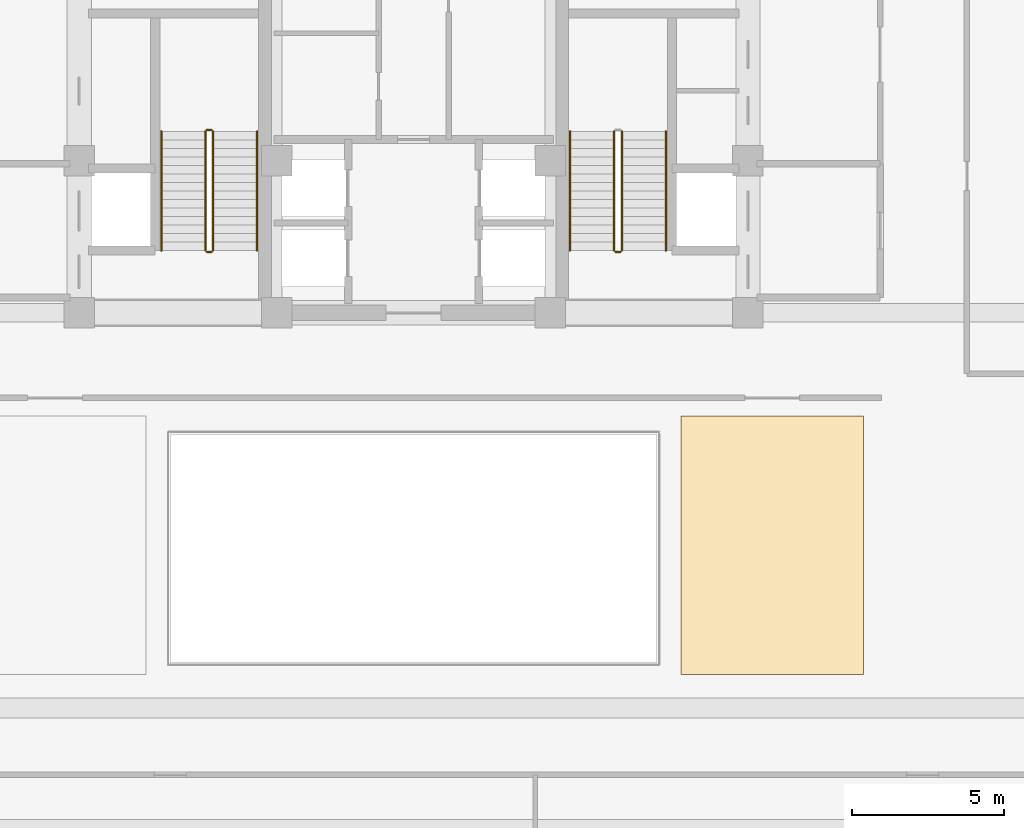
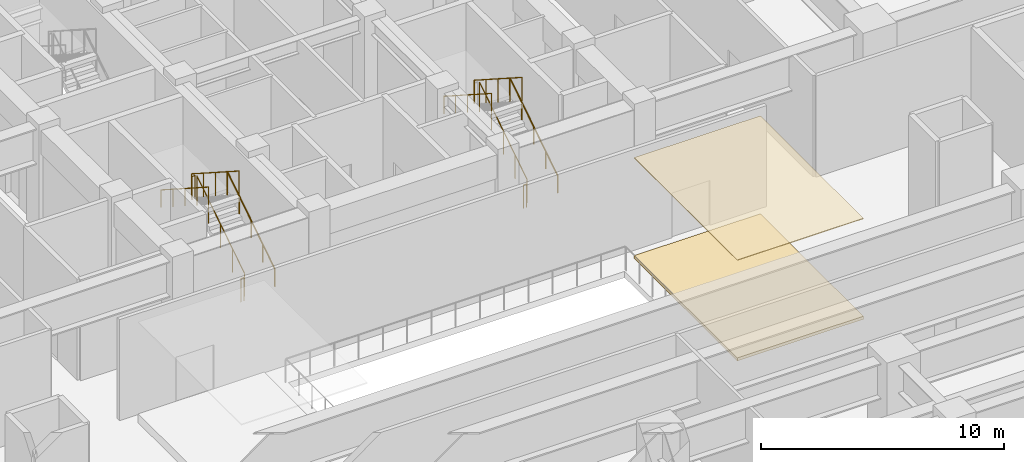
# One storey, part 24 of 28: 11 railings, 2 coverings.
"""IFC4 building model written with IfcOpenShell, lengths in metres."""

from ifc_helpers import new_model, si_unit, direction, frame, origin, origin_2d, place, context, subcontext, project, spatial, polyline, circle, outline, extrude, source, transform, mapped, material, layer, layer_set, type_object, element, save


model = new_model("IFC4")

# Units and contexts
model_context = context("Model", 3, precision=1e-05, world=origin(), true_north=direction((0.0, 1.0)))
body_context = subcontext(model_context, "Body", "Model", "MODEL_VIEW")
ifc_project = project(units=[si_unit("LENGTHUNIT", "METRE"), si_unit("AREAUNIT", "SQUARE_METRE"), si_unit("VOLUMEUNIT", "CUBIC_METRE"), si_unit("PLANEANGLEUNIT", "RADIAN"), si_unit("MASSUNIT", "GRAM", prefix="KILO")], contexts=[model_context])

# Site, building, storey
site_placement = place(None, origin())
site = spatial("IfcSite", under=ifc_project, at=site_placement, CompositionType="ELEMENT")
building_placement = place(site_placement, origin())
building = spatial("IfcBuilding", under=site, at=building_placement, Name="Khorayat Bourse Tower", CompositionType="ELEMENT")
storey_placement = place(building_placement, frame((0.0, 0.0, 6.60009765625)))
storey = spatial("IfcBuildingStorey", under=building, at=storey_placement, Name="L01", CompositionType="ELEMENT", Elevation=6.60009765625)

# Coverings
ifc_material_1 = material(Name="Mineral fibre acoustic ceiling tile")
ifc_layer_1 = layer(ifc_material_1, 0.0400390625)
ifc_layer_set_1 = layer_set([ifc_layer_1], Name="Mineral fibre acoustic ceiling tile")
covering_type_1 = type_object("IfcCoveringType", Name="COV-CEIL-ACOUSTIC", PredefinedType="CEILING", material=ifc_layer_set_1)
covering_1_placement = place(storey_placement, frame((0.0, 0.0, 5.039794921875)))
element("IfcCovering", 1, at=covering_1_placement, inside=storey, type_object=covering_type_1, Name="L01 Suspended Ceiling 2", PredefinedType="CEILING", context=body_context, shape_type="SweptSolid", body=[
    extrude(outline(polyline([(8.800048828125, -22.89990234375), (14.800048828125, -22.89990234375), (14.800048828125, -14.39990234375), (8.800048828125, -14.39990234375), (8.800048828125, -22.89990234375)])), origin(), (0.0, 0.0, 1.0), 0.0400390625),
])
ifc_material_2 = material(Name="Steel-encapsulated raised access floor", Category="steel")
ifc_layer_2 = layer(ifc_material_2, 0.14990234375)
ifc_layer_set_2 = layer_set([ifc_layer_2], Name="Steel-encapsulated raised access floor")
covering_type_2 = type_object("IfcCoveringType", Name="COV-RAF-OFFICE", PredefinedType="FLOORING", material=ifc_layer_set_2)
covering_2_placement = place(storey_placement, origin())
element("IfcCovering", 2, at=covering_2_placement, inside=storey, type_object=covering_type_2, Name="L01 Raised Access Floor 2", PredefinedType="FLOORING", context=body_context, shape_type="SweptSolid", body=[
    extrude(outline(polyline([(8.800048828125, -22.89990234375), (14.800048828125, -22.89990234375), (14.800048828125, -14.39990234375), (8.800048828125, -14.39990234375), (8.800048828125, -22.89990234375)])), origin(), (0.0, 0.0, 1.0), 0.14990234375),
])

# Railings
ifc_material_3 = material(Name="Powder-coated steel balustrade", Category="steel")
railing_type_1 = type_object("IfcRailingType", Name="RLG-GUARD-1200", PredefinedType="GUARDRAIL", material=ifc_material_3)
shared_shape_1 = source(origin(), body_context, "Body", "SweptSolid", [
    extrude(circle(Radius=0.02392578125, at=origin_2d()), frame((0.0, 0.0, 1.17578125), z_axis=(-1.0, 0.0, 0.0), x_axis=(0.0, -1.0, 0.0)), (0.0, 0.0, 1.0), 0.150146484375),
    extrude(circle(Radius=0.02099609375, at=origin_2d()), origin(), (0.0, 0.0, 1.0), 1.15185546875),
    extrude(circle(Radius=0.02099609375, at=origin_2d()), frame((-0.150146484375, 0.0, 0.0)), (0.0, 0.0, 1.0), 1.15185546875),
])
for number, where, name in (
    (3, (-6.64990234375, -4.97998046875, 2.699951171875), "L01 ST-1 stair guard 2"),
    (4, (-6.64990234375, -9.0, 0.0), "L01 ST-1 stair guard 4"),
    (5, (6.800048828125, -9.0, 0.0), "L01 ST-3 stair guard 4"),
):
    element("IfcRailing", number, at=place(storey_placement, frame(where)), inside=storey, type_object=railing_type_1, Name=name, PredefinedType="GUARDRAIL", context=body_context, shape_type="MappedRepresentation", body=[
        mapped(shared_shape_1, transform((0.0, 0.0, 0.0), scale=1.0)),
    ])
shared_shape_2 = source(origin(), body_context, "Body", "SweptSolid", [
    extrude(circle(Radius=0.02392578125, at=origin_2d()), frame((0.0, 0.0, 1.17578125), z_axis=(0.0, 0.841171666519, 0.540768182723), x_axis=(-1.0, 0.0, 0.0)), (0.0, 0.0, 1.0), 4.66015625),
    extrude(circle(Radius=0.02099609375, at=origin_2d()), origin(), (0.0, 0.0, 1.0), 1.15185546875),
    extrude(circle(Radius=0.02099609375, at=origin_2d()), frame((0.0, 0.97998046875, 0.6298828125)), (0.0, 0.0, 1.0), 1.15185546875),
    extrude(circle(Radius=0.02099609375, at=origin_2d()), frame((0.0, 1.9599609375, 1.260009765625)), (0.0, 0.0, 1.0), 1.15185546875),
    extrude(circle(Radius=0.02099609375, at=origin_2d()), frame((0.0, 2.93994140625, 1.89013671875)), (0.0, 0.0, 1.0), 1.15185546875),
    extrude(circle(Radius=0.02099609375, at=origin_2d()), frame((0.0, 3.919921875, 2.52001953125)), (0.0, 0.0, 1.0), 1.15185546875),
])
for number, where, name in (
    (6, (-6.60009765625, -8.949951171875, 0.179931640625), "L01 ST-1 stair guard 1"),
    (7, (6.85009765625, -8.949951171875, 0.179931640625), "L01 ST-3 stair guard 1"),
):
    element("IfcRailing", number, at=place(storey_placement, frame(where)), inside=storey, type_object=railing_type_1, Name=name, PredefinedType="GUARDRAIL", context=body_context, shape_type="MappedRepresentation", body=[
        mapped(shared_shape_2, transform((0.0, 0.0, 0.0), scale=1.0)),
    ])
shared_shape_3 = source(origin(), body_context, "Body", "SweptSolid", [
    extrude(circle(Radius=0.02392578125, at=origin_2d()), frame((0.0, 0.0, 1.17578125), z_axis=(0.0, -0.841171666519, 0.540768182723), x_axis=(1.0, 0.0, 0.0)), (0.0, 0.0, 1.0), 4.66015625),
    extrude(circle(Radius=0.02099609375, at=origin_2d()), origin(), (0.0, 0.0, 1.0), 1.15185546875),
    extrude(circle(Radius=0.02099609375, at=origin_2d()), frame((0.0, -0.97998046875, 0.6298828125)), (0.0, 0.0, 1.0), 1.15185546875),
    extrude(circle(Radius=0.02099609375, at=origin_2d()), frame((0.0, -1.9599609375, 1.260009765625)), (0.0, 0.0, 1.0), 1.15185546875),
    extrude(circle(Radius=0.02099609375, at=origin_2d()), frame((0.0, -2.93994140625, 1.89013671875)), (0.0, 0.0, 1.0), 1.15185546875),
    extrude(circle(Radius=0.02099609375, at=origin_2d()), frame((0.0, -3.919921875, 2.52001953125)), (0.0, 0.0, 1.0), 1.15185546875),
])
for number, where, name in (
    (8, (-6.85009765625, -5.030029296875, 2.8798828125), "L01 ST-1 stair guard 3"),
    (9, (6.60009765625, -5.030029296875, 2.8798828125), "L01 ST-3 stair guard 3"),
):
    element("IfcRailing", number, at=place(storey_placement, frame(where)), inside=storey, type_object=railing_type_1, Name=name, PredefinedType="GUARDRAIL", context=body_context, shape_type="MappedRepresentation", body=[
        mapped(shared_shape_3, transform((0.0, 0.0, 0.0), scale=1.0)),
    ])
ifc_material_4 = material(Name="Brushed bronze stainless-steel handrail", Category="steel")
railing_type_2 = type_object("IfcRailingType", Name="RLG-HAND-900", PredefinedType="HANDRAIL", material=ifc_material_4)
shared_shape_4 = source(origin(), body_context, "Body", "SweptSolid", [
    extrude(circle(Radius=0.02392578125, at=origin_2d()), frame((0.0, 0.0, 0.8759765625), z_axis=(0.0, 0.841171666519, 0.540768182723), x_axis=(-1.0, 0.0, 0.0)), (0.0, 0.0, 1.0), 4.66015625),
    extrude(circle(Radius=0.02099609375, at=origin_2d()), origin(), (0.0, 0.0, 1.0), 0.851806640625),
    extrude(circle(Radius=0.02099609375, at=origin_2d()), frame((0.0, 0.97998046875, 0.6298828125)), (0.0, 0.0, 1.0), 0.851806640625),
    extrude(circle(Radius=0.02099609375, at=origin_2d()), frame((0.0, 1.9599609375, 1.260009765625)), (0.0, 0.0, 1.0), 0.851806640625),
    extrude(circle(Radius=0.02099609375, at=origin_2d()), frame((0.0, 2.93994140625, 1.89013671875)), (0.0, 0.0, 1.0), 0.851806640625),
    extrude(circle(Radius=0.02099609375, at=origin_2d()), frame((0.0, 3.919921875, 2.52001953125)), (0.0, 0.0, 1.0), 0.851806640625),
])
for number, where, name in (
    (10, (-5.14990234375, -8.949951171875, 0.179931640625), "L01 ST-1 stair handrail 1"),
    (11, (8.300048828125, -8.949951171875, 0.179931640625), "L01 ST-3 stair handrail 1"),
):
    element("IfcRailing", number, at=place(storey_placement, frame(where)), inside=storey, type_object=railing_type_2, Name=name, PredefinedType="HANDRAIL", context=body_context, shape_type="MappedRepresentation", body=[
        mapped(shared_shape_4, transform((0.0, 0.0, 0.0), scale=1.0)),
    ])
shared_shape_5 = source(origin(), body_context, "Body", "SweptSolid", [
    extrude(circle(Radius=0.02392578125, at=origin_2d()), frame((0.0, 0.0, 0.8759765625), z_axis=(0.0, -0.841171666519, 0.540768182723), x_axis=(1.0, 0.0, 0.0)), (0.0, 0.0, 1.0), 4.66015625),
    extrude(circle(Radius=0.02099609375, at=origin_2d()), origin(), (0.0, 0.0, 1.0), 0.851806640625),
    extrude(circle(Radius=0.02099609375, at=origin_2d()), frame((0.0, -0.97998046875, 0.6298828125)), (0.0, 0.0, 1.0), 0.851806640625),
    extrude(circle(Radius=0.02099609375, at=origin_2d()), frame((0.0, -1.9599609375, 1.260009765625)), (0.0, 0.0, 1.0), 0.851806640625),
    extrude(circle(Radius=0.02099609375, at=origin_2d()), frame((0.0, -2.93994140625, 1.89013671875)), (0.0, 0.0, 1.0), 0.851806640625),
    extrude(circle(Radius=0.02099609375, at=origin_2d()), frame((0.0, -3.919921875, 2.52001953125)), (0.0, 0.0, 1.0), 0.851806640625),
])
for number, where, name in (
    (12, (-8.300048828125, -5.030029296875, 2.8798828125), "L01 ST-1 stair handrail 2"),
    (13, (5.14990234375, -5.030029296875, 2.8798828125), "L01 ST-3 stair handrail 2"),
):
    element("IfcRailing", number, at=place(storey_placement, frame(where)), inside=storey, type_object=railing_type_2, Name=name, PredefinedType="HANDRAIL", context=body_context, shape_type="MappedRepresentation", body=[
        mapped(shared_shape_5, transform((0.0, 0.0, 0.0), scale=1.0)),
    ])

save(model, "model.ifc")
